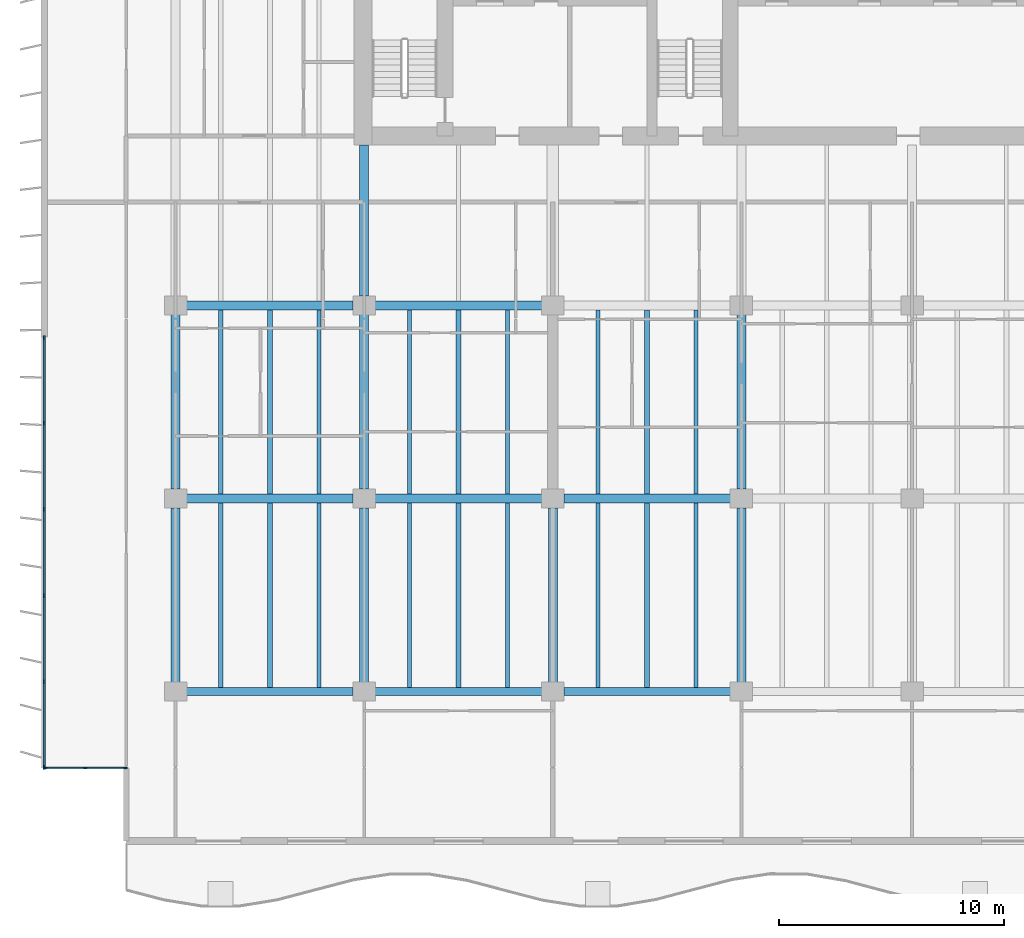
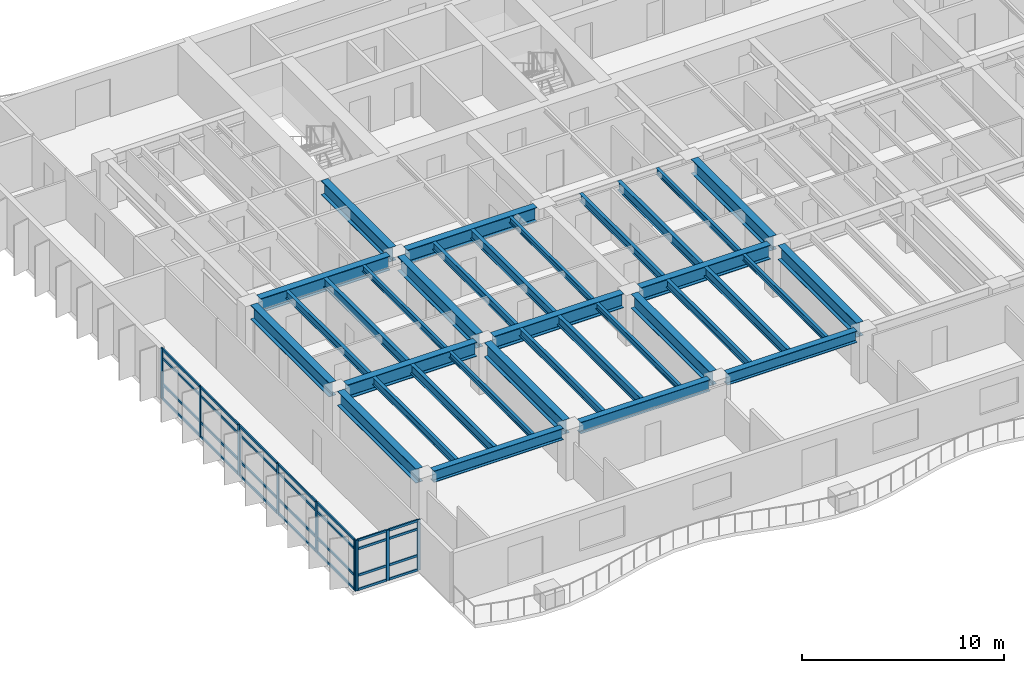
# One storey, part 2 of 15: 37 members, 34 beams, 2 elements without a shape of their own.
"""IFC4 building model written with IfcOpenShell, lengths in metres."""

from ifc_helpers import new_model, si_unit, direction, frame, origin, origin_2d, place, context, subcontext, project, spatial, rectangle, i_section, extrude, material, layer, layer_set, material_profile, profile_set, type_object, element, aggregate, save


model = new_model("IFC4")

# Units and contexts
model_context = context("Model", 3, precision=1e-05, world=origin(), true_north=direction((0.0, 1.0)))
body_context = subcontext(model_context, "Body", "Model", "MODEL_VIEW")
ifc_project = project(units=[si_unit("LENGTHUNIT", "METRE"), si_unit("AREAUNIT", "SQUARE_METRE"), si_unit("VOLUMEUNIT", "CUBIC_METRE"), si_unit("PLANEANGLEUNIT", "RADIAN"), si_unit("MASSUNIT", "GRAM", prefix="KILO")], contexts=[model_context])

# Site, building, storey
site_placement = place(None, origin())
site = spatial("IfcSite", under=ifc_project, at=site_placement, CompositionType="ELEMENT")
building_placement = place(site_placement, origin())
building = spatial("IfcBuilding", under=site, at=building_placement, Name="Caelmar Bay Residences", CompositionType="ELEMENT")
storey_placement = place(building_placement, frame((0.0, 0.0, 135.60009765625)))
storey = spatial("IfcBuildingStorey", under=building, at=storey_placement, Name="L37", CompositionType="ELEMENT", Elevation=135.60009765625)

# Beams
ifc_material_1 = material(Name="Steel ASTM A992 Grade 50", Category="steel")
ifc_material_profile_1 = material_profile(ifc_material_1, i_section(OverallWidth=0.40087890625, OverallDepth=0.861083984375, WebThickness=0.019775390625, FlangeThickness=0.032470703125, FilletRadius=0.017822265625, at=origin_2d()), Name="W33X221")
ifc_profile_set_1 = profile_set([ifc_material_profile_1], Name="Steel ASTM A992 Grade 50")
beam_type_1 = type_object("IfcBeamType", Name="BM-GRD-W33X221", PredefinedType="BEAM", material=ifc_profile_set_1)
beam_1_placement = place(storey_placement, frame((10.389892578125, 20.800048828125, 2.619384765625), z_axis=(1.0, 0.0, 0.0), x_axis=(0.0, 1.0, 0.0)))
element("IfcBeam", 1, at=beam_1_placement, inside=storey, type_object=beam_type_1, Name="L37 East-West Girder Y=20.80 (9.9-18.3)", PredefinedType="BEAM", context=body_context, shape_type="SweptSolid", body=[
    extrude(i_section(OverallWidth=0.40087890625, OverallDepth=0.861083984375, WebThickness=0.019775390625, FlangeThickness=0.032470703125, FilletRadius=0.017822265625, at=origin_2d()), origin(), (0.0, 0.0, 1.0), 7.420166015625),
])
beam_2_placement = place(storey_placement, frame((18.7900390625, 20.800048828125, 2.619384765625), z_axis=(1.0, 0.0, 0.0), x_axis=(0.0, 1.0, 0.0)))
element("IfcBeam", 2, at=beam_2_placement, inside=storey, type_object=beam_type_1, Name="L37 East-West Girder Y=20.80 (18.3-26.7)", PredefinedType="BEAM", context=body_context, shape_type="SweptSolid", body=[
    extrude(i_section(OverallWidth=0.40087890625, OverallDepth=0.861083984375, WebThickness=0.019775390625, FlangeThickness=0.032470703125, FilletRadius=0.017822265625, at=origin_2d()), origin(), (0.0, 0.0, 1.0), 7.419921875),
])
for number, where, z_axis, x_axis, name in (
    (3, (27.18994140625, 20.800048828125, 2.619384765625), (1.0, 0.0, 0.0), (0.0, 1.0, 0.0), "L37 East-West Girder Y=20.80 (26.7-35.1)"),
    (4, (10.389892578125, 29.39990234375, 2.619384765625), (1.0, 0.0, 0.0), (0.0, 1.0, 0.0), "L37 East-West Girder Y=29.40 (9.9-18.3)"),
):
    element("IfcBeam", number, at=place(storey_placement, frame(where, z_axis=z_axis, x_axis=x_axis)), inside=storey, type_object=beam_type_1, Name=name, PredefinedType="BEAM", context=body_context, shape_type="SweptSolid", body=[
        extrude(i_section(OverallWidth=0.40087890625, OverallDepth=0.861083984375, WebThickness=0.019775390625, FlangeThickness=0.032470703125, FilletRadius=0.017822265625, at=origin_2d()), origin(), (0.0, 0.0, 1.0), 7.420166015625),
    ])
beam_3_placement = place(storey_placement, frame((18.7900390625, 29.39990234375, 2.619384765625), z_axis=(1.0, 0.0, 0.0), x_axis=(0.0, 1.0, 0.0)))
element("IfcBeam", 5, at=beam_3_placement, inside=storey, type_object=beam_type_1, Name="L37 East-West Girder Y=29.40 (18.3-26.7)", PredefinedType="BEAM", context=body_context, shape_type="SweptSolid", body=[
    extrude(i_section(OverallWidth=0.40087890625, OverallDepth=0.861083984375, WebThickness=0.019775390625, FlangeThickness=0.032470703125, FilletRadius=0.017822265625, at=origin_2d()), origin(), (0.0, 0.0, 1.0), 7.419921875),
])
for number, where, z_axis, x_axis, name in (
    (6, (9.89990234375, 12.614990234375, 2.619384765625), (0.0, 1.0, 0.0), (-1.0, 0.0, 0.0), "L37 North-South Girder X=9.90 (12.2-20.8)"),
    (7, (9.89990234375, 21.215087890625, 2.619384765625), (0.0, 1.0, 0.0), (-1.0, 0.0, 0.0), "L37 North-South Girder X=9.90 (20.8-29.4)"),
):
    element("IfcBeam", number, at=place(storey_placement, frame(where, z_axis=z_axis, x_axis=x_axis)), inside=storey, type_object=beam_type_1, Name=name, PredefinedType="BEAM", context=body_context, shape_type="SweptSolid", body=[
        extrude(i_section(OverallWidth=0.40087890625, OverallDepth=0.861083984375, WebThickness=0.019775390625, FlangeThickness=0.032470703125, FilletRadius=0.017822265625, at=origin_2d()), origin(), (0.0, 0.0, 1.0), 7.77001953125),
    ])
beam_4_placement = place(storey_placement, frame((18.300048828125, 29.81494140625, 2.619384765625), z_axis=(0.0, 1.0, 0.0), x_axis=(-1.0, 0.0, 0.0)))
element("IfcBeam", 8, at=beam_4_placement, inside=storey, type_object=beam_type_1, Name="L37 Core Tie Girder X=18.30", PredefinedType="BEAM", context=body_context, shape_type="SweptSolid", body=[
    extrude(i_section(OverallWidth=0.40087890625, OverallDepth=0.861083984375, WebThickness=0.019775390625, FlangeThickness=0.032470703125, FilletRadius=0.017822265625, at=origin_2d()), origin(), (0.0, 0.0, 1.0), 6.735107421875),
])
for number, where, z_axis, x_axis, name in (
    (9, (18.300048828125, 12.614990234375, 2.619384765625), (0.0, 1.0, 0.0), (-1.0, 0.0, 0.0), "L37 North-South Girder X=18.30 (12.2-20.8)"),
    (10, (18.300048828125, 21.215087890625, 2.619384765625), (0.0, 1.0, 0.0), (-1.0, 0.0, 0.0), "L37 North-South Girder X=18.30 (20.8-29.4)"),
    (11, (26.699951171875, 12.614990234375, 2.619384765625), (0.0, 1.0, 0.0), (-1.0, 0.0, 0.0), "L37 North-South Girder X=26.70 (12.2-20.8)"),
    (12, (35.10009765625, 12.614990234375, 2.619384765625), (0.0, 1.0, 0.0), (-1.0, 0.0, 0.0), "L37 North-South Girder X=35.10 (12.2-20.8)"),
    (13, (35.10009765625, 21.215087890625, 2.619384765625), (0.0, 1.0, 0.0), (-1.0, 0.0, 0.0), "L37 North-South Girder X=35.10 (20.8-29.4)"),
):
    element("IfcBeam", number, at=place(storey_placement, frame(where, z_axis=z_axis, x_axis=x_axis)), inside=storey, type_object=beam_type_1, Name=name, PredefinedType="BEAM", context=body_context, shape_type="SweptSolid", body=[
        extrude(i_section(OverallWidth=0.40087890625, OverallDepth=0.861083984375, WebThickness=0.019775390625, FlangeThickness=0.032470703125, FilletRadius=0.017822265625, at=origin_2d()), origin(), (0.0, 0.0, 1.0), 7.77001953125),
    ])
ifc_material_profile_2 = material_profile(ifc_material_1, i_section(OverallWidth=0.1708984375, OverallDepth=0.35595703125, WebThickness=0.007080078125, FlangeThickness=0.01171875, FilletRadius=0.007568359375, at=origin_2d()), Name="W14X34")
ifc_profile_set_2 = profile_set([ifc_material_profile_2], Name="Steel ASTM A992 Grade 50")
beam_type_2 = type_object("IfcBeamType", Name="BM-JST-W14X34", PredefinedType="JOIST", material=ifc_profile_set_2)
for number, where, z_axis, x_axis, name in (
    (14, (16.283935546875, 12.3779296875, 2.871826171875), (0.0, 1.0, 0.0), (-1.0, 0.0, 0.0), "L37 Composite Floor Joist 3"),
    (15, (24.68408203125, 12.3779296875, 2.871826171875), (0.0, 1.0, 0.0), (-1.0, 0.0, 0.0), "L37 Composite Floor Joist 6"),
    (16, (33.083984375, 12.3779296875, 2.871826171875), (0.0, 1.0, 0.0), (-1.0, 0.0, 0.0), "L37 Composite Floor Joist 9"),
):
    element("IfcBeam", number, at=place(storey_placement, frame(where, z_axis=z_axis, x_axis=x_axis)), inside=storey, type_object=beam_type_2, Name=name, PredefinedType="JOIST", context=body_context, shape_type="SweptSolid", body=[
        extrude(i_section(OverallWidth=0.1708984375, OverallDepth=0.35595703125, WebThickness=0.007080078125, FlangeThickness=0.01171875, FilletRadius=0.007568359375, at=origin_2d()), origin(), (0.0, 0.0, 1.0), 8.2216796875),
    ])
for number, where, z_axis, x_axis, name in (
    (17, (16.283935546875, 21.00048828125, 2.871826171875), (0.0, 1.0, 0.0), (-1.0, 0.0, 0.0), "L37 Composite Floor Joist 24"),
    (18, (24.68408203125, 21.00048828125, 2.871826171875), (0.0, 1.0, 0.0), (-1.0, 0.0, 0.0), "L37 Composite Floor Joist 27"),
    (19, (33.083984375, 21.00048828125, 2.871826171875), (0.0, 1.0, 0.0), (-1.0, 0.0, 0.0), "L37 Composite Floor Joist 30"),
):
    element("IfcBeam", number, at=place(storey_placement, frame(where, z_axis=z_axis, x_axis=x_axis)), inside=storey, type_object=beam_type_2, Name=name, PredefinedType="JOIST", context=body_context, shape_type="SweptSolid", body=[
        extrude(i_section(OverallWidth=0.1708984375, OverallDepth=0.35595703125, WebThickness=0.007080078125, FlangeThickness=0.01171875, FilletRadius=0.007568359375, at=origin_2d()), origin(), (0.0, 0.0, 1.0), 8.198974609375),
    ])
ifc_material_profile_3 = material_profile(ifc_material_1, i_section(OverallWidth=0.19091796875, OverallDepth=0.45703125, WebThickness=0.009033203125, FlangeThickness=0.014404296875, FilletRadius=0.01025390625, at=origin_2d()), Name="W18X50")
ifc_profile_set_3 = profile_set([ifc_material_profile_3], Name="Steel ASTM A992 Grade 50")
beam_type_3 = type_object("IfcBeamType", Name="BM-JST-W18X50", PredefinedType="JOIST", material=ifc_profile_set_3)
for number, where, z_axis, x_axis, name in (
    (20, (11.916015625, 12.3779296875, 2.8212890625), (0.0, 1.0, 0.0), (-1.0, 0.0, 0.0), "L37 Composite Floor Joist 1"),
    (21, (20.31591796875, 12.3779296875, 2.8212890625), (0.0, 1.0, 0.0), (-1.0, 0.0, 0.0), "L37 Composite Floor Joist 4"),
    (22, (28.716064453125, 12.3779296875, 2.8212890625), (0.0, 1.0, 0.0), (-1.0, 0.0, 0.0), "L37 Composite Floor Joist 7"),
):
    element("IfcBeam", number, at=place(storey_placement, frame(where, z_axis=z_axis, x_axis=x_axis)), inside=storey, type_object=beam_type_3, Name=name, PredefinedType="JOIST", context=body_context, shape_type="SweptSolid", body=[
        extrude(i_section(OverallWidth=0.19091796875, OverallDepth=0.45703125, WebThickness=0.009033203125, FlangeThickness=0.014404296875, FilletRadius=0.01025390625, at=origin_2d()), origin(), (0.0, 0.0, 1.0), 8.2216796875),
    ])
for number, where, z_axis, x_axis, name in (
    (23, (11.916015625, 21.00048828125, 2.8212890625), (0.0, 1.0, 0.0), (-1.0, 0.0, 0.0), "L37 Composite Floor Joist 22"),
    (24, (20.31591796875, 21.00048828125, 2.8212890625), (0.0, 1.0, 0.0), (-1.0, 0.0, 0.0), "L37 Composite Floor Joist 25"),
    (25, (28.716064453125, 21.00048828125, 2.8212890625), (0.0, 1.0, 0.0), (-1.0, 0.0, 0.0), "L37 Composite Floor Joist 28"),
):
    element("IfcBeam", number, at=place(storey_placement, frame(where, z_axis=z_axis, x_axis=x_axis)), inside=storey, type_object=beam_type_3, Name=name, PredefinedType="JOIST", context=body_context, shape_type="SweptSolid", body=[
        extrude(i_section(OverallWidth=0.19091796875, OverallDepth=0.45703125, WebThickness=0.009033203125, FlangeThickness=0.014404296875, FilletRadius=0.01025390625, at=origin_2d()), origin(), (0.0, 0.0, 1.0), 8.198974609375),
    ])
ifc_material_profile_4 = material_profile(ifc_material_1, i_section(OverallWidth=0.214111328125, OverallDepth=0.549072265625, WebThickness=0.0146484375, FlangeThickness=0.023681640625, FilletRadius=0.0126953125, at=origin_2d()), Name="W21X93")
ifc_profile_set_4 = profile_set([ifc_material_profile_4], Name="Steel ASTM A992 Grade 50")
beam_type_4 = type_object("IfcBeamType", Name="BM-JST-W21X93", PredefinedType="JOIST", material=ifc_profile_set_4)
for number, where, z_axis, x_axis, name in (
    (26, (14.10009765625, 12.3779296875, 2.775390625), (0.0, 1.0, 0.0), (-1.0, 0.0, 0.0), "L37 Composite Floor Joist 2"),
    (27, (22.5, 12.3779296875, 2.775390625), (0.0, 1.0, 0.0), (-1.0, 0.0, 0.0), "L37 Composite Floor Joist 5"),
    (28, (30.89990234375, 12.3779296875, 2.775390625), (0.0, 1.0, 0.0), (-1.0, 0.0, 0.0), "L37 Composite Floor Joist 8"),
):
    element("IfcBeam", number, at=place(storey_placement, frame(where, z_axis=z_axis, x_axis=x_axis)), inside=storey, type_object=beam_type_4, Name=name, PredefinedType="JOIST", context=body_context, shape_type="SweptSolid", body=[
        extrude(i_section(OverallWidth=0.214111328125, OverallDepth=0.549072265625, WebThickness=0.0146484375, FlangeThickness=0.023681640625, FilletRadius=0.0126953125, at=origin_2d()), origin(), (0.0, 0.0, 1.0), 8.2216796875),
    ])
for number, where, z_axis, x_axis, name in (
    (29, (14.10009765625, 21.00048828125, 2.775390625), (0.0, 1.0, 0.0), (-1.0, 0.0, 0.0), "L37 Composite Floor Joist 23"),
    (30, (22.5, 21.00048828125, 2.775390625), (0.0, 1.0, 0.0), (-1.0, 0.0, 0.0), "L37 Composite Floor Joist 26"),
    (31, (30.89990234375, 21.00048828125, 2.775390625), (0.0, 1.0, 0.0), (-1.0, 0.0, 0.0), "L37 Composite Floor Joist 29"),
):
    element("IfcBeam", number, at=place(storey_placement, frame(where, z_axis=z_axis, x_axis=x_axis)), inside=storey, type_object=beam_type_4, Name=name, PredefinedType="JOIST", context=body_context, shape_type="SweptSolid", body=[
        extrude(i_section(OverallWidth=0.214111328125, OverallDepth=0.549072265625, WebThickness=0.0146484375, FlangeThickness=0.023681640625, FilletRadius=0.0126953125, at=origin_2d()), origin(), (0.0, 0.0, 1.0), 8.198974609375),
    ])
ifc_material_profile_5 = material_profile(ifc_material_1, i_section(OverallWidth=0.35595703125, OverallDepth=0.696044921875, WebThickness=0.015380859375, FlangeThickness=0.02490234375, FilletRadius=0.01513671875, at=origin_2d()), Name="W27X146")
ifc_profile_set_5 = profile_set([ifc_material_profile_5], Name="Steel ASTM A992 Grade 50")
beam_type_5 = type_object("IfcBeamType", Name="BM-SPN-W27X146", PredefinedType="SPANDREL", material=ifc_profile_set_5)
beam_5_placement = place(storey_placement, frame((10.389892578125, 12.199951171875, 2.701904296875), z_axis=(1.0, 0.0, 0.0), x_axis=(0.0, 1.0, 0.0)))
element("IfcBeam", 32, at=beam_5_placement, inside=storey, type_object=beam_type_5, Name="L37 East-West Girder Y=12.20 (9.9-18.3)", PredefinedType="SPANDREL", context=body_context, shape_type="SweptSolid", body=[
    extrude(i_section(OverallWidth=0.35595703125, OverallDepth=0.696044921875, WebThickness=0.015380859375, FlangeThickness=0.02490234375, FilletRadius=0.01513671875, at=origin_2d()), origin(), (0.0, 0.0, 1.0), 7.420166015625),
])
beam_6_placement = place(storey_placement, frame((18.7900390625, 12.199951171875, 2.701904296875), z_axis=(1.0, 0.0, 0.0), x_axis=(0.0, 1.0, 0.0)))
element("IfcBeam", 33, at=beam_6_placement, inside=storey, type_object=beam_type_5, Name="L37 East-West Girder Y=12.20 (18.3-26.7)", PredefinedType="SPANDREL", context=body_context, shape_type="SweptSolid", body=[
    extrude(i_section(OverallWidth=0.35595703125, OverallDepth=0.696044921875, WebThickness=0.015380859375, FlangeThickness=0.02490234375, FilletRadius=0.01513671875, at=origin_2d()), origin(), (0.0, 0.0, 1.0), 7.419921875),
])
beam_7_placement = place(storey_placement, frame((27.18994140625, 12.199951171875, 2.701904296875), z_axis=(1.0, 0.0, 0.0), x_axis=(0.0, 1.0, 0.0)))
element("IfcBeam", 34, at=beam_7_placement, inside=storey, type_object=beam_type_5, Name="L37 East-West Girder Y=12.20 (26.7-35.1)", PredefinedType="SPANDREL", context=body_context, shape_type="SweptSolid", body=[
    extrude(i_section(OverallWidth=0.35595703125, OverallDepth=0.696044921875, WebThickness=0.015380859375, FlangeThickness=0.02490234375, FilletRadius=0.01513671875, at=origin_2d()), origin(), (0.0, 0.0, 1.0), 7.420166015625),
])

# Curtain wall, members
ifc_material_2 = material(Name="Anodised bronze aluminium 6063-T6 and laminated glass", Category="aluminium")
ifc_layer_1 = layer(ifc_material_2, 0.179931640625)
ifc_layer_set_1 = layer_set([ifc_layer_1], Name="Anodised bronze aluminium 6063-T6 and laminated glass")
curtain_wall_type_1 = type_object("IfcCurtainWallType", Name="CW6-NTC", PredefinedType="NOTDEFINED", material=ifc_layer_set_1)
curtain_wall_1_placement = place(storey_placement, origin())
curtain_wall_1 = element("IfcCurtainWall", 35, at=curtain_wall_1_placement, inside=storey, type_object=curtain_wall_type_1, Name="CW6 curtain wall L37", PredefinedType="NOTDEFINED")
ifc_material_3 = material(Name="Anodised bronze aluminium 6063-T6", Category="aluminium")
ifc_material_profile_6 = material_profile(ifc_material_3, rectangle(XDim=0.080078125, YDim=0.179931640625, at=origin_2d()), Name="CWM-80X180")
ifc_profile_set_6 = profile_set([ifc_material_profile_6], Name="Anodised bronze aluminium 6063-T6")
member_type_1 = type_object("IfcMemberType", Name="CWM-180", PredefinedType="MULLION", material=ifc_profile_set_6)
member_1_placement = place(storey_placement, frame((4.090087890625, 8.800048828125, 0.0), z_axis=(0.0, 0.0, 1.0), x_axis=(0.0, 1.0, 0.0)))
member_1 = element("IfcMember", 36, at=member_1_placement, type_object=member_type_1, Name="CW6 mullion 1", PredefinedType="MULLION", context=body_context, shape_type="SweptSolid", body=[
    extrude(rectangle(XDim=0.080078125, YDim=0.179931640625, at=origin_2d()), origin(), (0.0, 0.0, 1.0), 3.0498046875),
])
member_2_placement = place(storey_placement, frame((5.875, 8.800048828125, 0.0), z_axis=(0.0, 0.0, 1.0), x_axis=(0.0, 1.0, 0.0)))
member_2 = element("IfcMember", 37, at=member_2_placement, type_object=member_type_1, Name="CW6 mullion 2", PredefinedType="MULLION", context=body_context, shape_type="SweptSolid", body=[
    extrude(rectangle(XDim=0.080078125, YDim=0.179931640625, at=origin_2d()), origin(), (0.0, 0.0, 1.0), 3.0498046875),
])
member_3_placement = place(storey_placement, frame((7.659912109375, 8.800048828125, 0.0), z_axis=(0.0, 0.0, 1.0), x_axis=(0.0, 1.0, 0.0)))
member_3 = element("IfcMember", 38, at=member_3_placement, type_object=member_type_1, Name="CW6 mullion 3", PredefinedType="MULLION", context=body_context, shape_type="SweptSolid", body=[
    extrude(rectangle(XDim=0.080078125, YDim=0.179931640625, at=origin_2d()), origin(), (0.0, 0.0, 1.0), 3.0498046875),
])

ifc_layer_2 = layer(ifc_material_2, 0.179931640625)
ifc_layer_set_2 = layer_set([ifc_layer_2], Name="Anodised bronze aluminium 6063-T6 and laminated glass")
curtain_wall_type_2 = type_object("IfcCurtainWallType", Name="CW3-Z2", PredefinedType="NOTDEFINED", material=ifc_layer_set_2)
curtain_wall_2_placement = place(storey_placement, origin())
curtain_wall_2 = element("IfcCurtainWall", 39, at=curtain_wall_2_placement, inside=storey, type_object=curtain_wall_type_2, Name="CW3 curtain wall L37", PredefinedType="NOTDEFINED")
member_4_placement = place(storey_placement, frame((4.050048828125, 8.840087890625, 0.0), z_axis=(0.0, 0.0, 1.0), x_axis=(-1.0, 0.0, 0.0)))
member_4 = element("IfcMember", 40, at=member_4_placement, type_object=member_type_1, Name="CW3 mullion 1", PredefinedType="MULLION", context=body_context, shape_type="SweptSolid", body=[
    extrude(rectangle(XDim=0.080078125, YDim=0.179931640625, at=origin_2d()), origin(), (0.0, 0.0, 1.0), 3.0498046875),
])
member_5_placement = place(storey_placement, frame((4.050048828125, 12.639892578125, 0.0), z_axis=(0.0, 0.0, 1.0), x_axis=(-1.0, 0.0, 0.0)))
member_5 = element("IfcMember", 41, at=member_5_placement, type_object=member_type_1, Name="CW3 mullion 2", PredefinedType="MULLION", context=body_context, shape_type="SweptSolid", body=[
    extrude(rectangle(XDim=0.080078125, YDim=0.179931640625, at=origin_2d()), origin(), (0.0, 0.0, 1.0), 3.0498046875),
])
member_6_placement = place(storey_placement, frame((4.050048828125, 16.47998046875, 0.0), z_axis=(0.0, 0.0, 1.0), x_axis=(-1.0, 0.0, 0.0)))
member_6 = element("IfcMember", 42, at=member_6_placement, type_object=member_type_1, Name="CW3 mullion 3", PredefinedType="MULLION", context=body_context, shape_type="SweptSolid", body=[
    extrude(rectangle(XDim=0.080078125, YDim=0.179931640625, at=origin_2d()), origin(), (0.0, 0.0, 1.0), 3.0498046875),
])
member_7_placement = place(storey_placement, frame((4.050048828125, 20.320068359375, 0.0), z_axis=(0.0, 0.0, 1.0), x_axis=(-1.0, 0.0, 0.0)))
member_7 = element("IfcMember", 43, at=member_7_placement, type_object=member_type_1, Name="CW3 mullion 4", PredefinedType="MULLION", context=body_context, shape_type="SweptSolid", body=[
    extrude(rectangle(XDim=0.080078125, YDim=0.179931640625, at=origin_2d()), origin(), (0.0, 0.0, 1.0), 3.0498046875),
])
member_8_placement = place(storey_placement, frame((4.050048828125, 24.159912109375, 0.0), z_axis=(0.0, 0.0, 1.0), x_axis=(-1.0, 0.0, 0.0)))
member_8 = element("IfcMember", 44, at=member_8_placement, type_object=member_type_1, Name="CW3 mullion 5", PredefinedType="MULLION", context=body_context, shape_type="SweptSolid", body=[
    extrude(rectangle(XDim=0.080078125, YDim=0.179931640625, at=origin_2d()), origin(), (0.0, 0.0, 1.0), 3.0498046875),
])
member_9_placement = place(storey_placement, frame((4.050048828125, 27.9599609375, 0.0), z_axis=(0.0, 0.0, 1.0), x_axis=(-1.0, 0.0, 0.0)))
member_9 = element("IfcMember", 45, at=member_9_placement, type_object=member_type_1, Name="CW3 mullion 6", PredefinedType="MULLION", context=body_context, shape_type="SweptSolid", body=[
    extrude(rectangle(XDim=0.080078125, YDim=0.179931640625, at=origin_2d()), origin(), (0.0, 0.0, 1.0), 3.0498046875),
])

# Member
ifc_material_profile_7 = material_profile(ifc_material_3, rectangle(XDim=0.080078125, YDim=0.139892578125, at=origin_2d()), Name="CWT-80X140")
ifc_profile_set_7 = profile_set([ifc_material_profile_7], Name="Anodised bronze aluminium 6063-T6")
member_type_2 = type_object("IfcMemberType", Name="CWT-140", PredefinedType="NOTDEFINED", material=ifc_profile_set_7)
member_10_placement = place(storey_placement, frame((4.1298828125, 8.800048828125, 0.039794921875), z_axis=(1.0, 0.0, 0.0), x_axis=(0.0, 1.0, 0.0)))
member_10 = element("IfcMember", 46, at=member_10_placement, type_object=member_type_2, Name="CW6 transom 1.1", ObjectType="TRANSOM", PredefinedType="USERDEFINED", context=body_context, shape_type="SweptSolid", body=[
    extrude(rectangle(XDim=0.080078125, YDim=0.139892578125, at=origin_2d()), origin(), (0.0, 0.0, 1.0), 1.705078125),
])

member_11_placement = place(storey_placement, frame((4.1298828125, 8.800048828125, 0.89990234375), z_axis=(1.0, 0.0, 0.0), x_axis=(0.0, 1.0, 0.0)))
member_11 = element("IfcMember", 47, at=member_11_placement, type_object=member_type_2, Name="CW6 transom 1.2", ObjectType="TRANSOM", PredefinedType="USERDEFINED", context=body_context, shape_type="SweptSolid", body=[
    extrude(rectangle(XDim=0.080078125, YDim=0.139892578125, at=origin_2d()), origin(), (0.0, 0.0, 1.0), 1.705078125),
])

member_12_placement = place(storey_placement, frame((4.1298828125, 8.800048828125, 2.5), z_axis=(1.0, 0.0, 0.0), x_axis=(0.0, 1.0, 0.0)))
member_12 = element("IfcMember", 48, at=member_12_placement, type_object=member_type_2, Name="CW6 transom 1.3", ObjectType="TRANSOM", PredefinedType="USERDEFINED", context=body_context, shape_type="SweptSolid", body=[
    extrude(rectangle(XDim=0.080078125, YDim=0.139892578125, at=origin_2d()), origin(), (0.0, 0.0, 1.0), 1.705078125),
])

member_13_placement = place(storey_placement, frame((4.1298828125, 8.800048828125, 3.010009765625), z_axis=(1.0, 0.0, 0.0), x_axis=(0.0, 1.0, 0.0)))
member_13 = element("IfcMember", 49, at=member_13_placement, type_object=member_type_2, Name="CW6 transom 1.4", ObjectType="TRANSOM", PredefinedType="USERDEFINED", context=body_context, shape_type="SweptSolid", body=[
    extrude(rectangle(XDim=0.080078125, YDim=0.139892578125, at=origin_2d()), origin(), (0.0, 0.0, 1.0), 1.705078125),
])

member_14_placement = place(storey_placement, frame((5.9150390625, 8.800048828125, 0.039794921875), z_axis=(1.0, 0.0, 0.0), x_axis=(0.0, 1.0, 0.0)))
member_14 = element("IfcMember", 50, at=member_14_placement, type_object=member_type_2, Name="CW6 transom 2.1", ObjectType="TRANSOM", PredefinedType="USERDEFINED", context=body_context, shape_type="SweptSolid", body=[
    extrude(rectangle(XDim=0.080078125, YDim=0.139892578125, at=origin_2d()), origin(), (0.0, 0.0, 1.0), 1.705078125),
])

member_15_placement = place(storey_placement, frame((5.9150390625, 8.800048828125, 0.89990234375), z_axis=(1.0, 0.0, 0.0), x_axis=(0.0, 1.0, 0.0)))
member_15 = element("IfcMember", 51, at=member_15_placement, type_object=member_type_2, Name="CW6 transom 2.2", ObjectType="TRANSOM", PredefinedType="USERDEFINED", context=body_context, shape_type="SweptSolid", body=[
    extrude(rectangle(XDim=0.080078125, YDim=0.139892578125, at=origin_2d()), origin(), (0.0, 0.0, 1.0), 1.705078125),
])

member_16_placement = place(storey_placement, frame((5.9150390625, 8.800048828125, 2.5), z_axis=(1.0, 0.0, 0.0), x_axis=(0.0, 1.0, 0.0)))
member_16 = element("IfcMember", 52, at=member_16_placement, type_object=member_type_2, Name="CW6 transom 2.3", ObjectType="TRANSOM", PredefinedType="USERDEFINED", context=body_context, shape_type="SweptSolid", body=[
    extrude(rectangle(XDim=0.080078125, YDim=0.139892578125, at=origin_2d()), origin(), (0.0, 0.0, 1.0), 1.705078125),
])

member_17_placement = place(storey_placement, frame((5.9150390625, 8.800048828125, 3.010009765625), z_axis=(1.0, 0.0, 0.0), x_axis=(0.0, 1.0, 0.0)))
member_17 = element("IfcMember", 53, at=member_17_placement, type_object=member_type_2, Name="CW6 transom 2.4", ObjectType="TRANSOM", PredefinedType="USERDEFINED", context=body_context, shape_type="SweptSolid", body=[
    extrude(rectangle(XDim=0.080078125, YDim=0.139892578125, at=origin_2d()), origin(), (0.0, 0.0, 1.0), 1.705078125),
])

aggregate(curtain_wall_1, [member_1, member_2, member_3, member_10, member_11, member_12, member_13, member_14, member_15, member_16, member_17])

member_18_placement = place(storey_placement, frame((4.050048828125, 8.8798828125, 0.039794921875), z_axis=(0.0, 1.0, 0.0), x_axis=(-1.0, 0.0, 0.0)))
member_18 = element("IfcMember", 54, at=member_18_placement, type_object=member_type_2, Name="CW3 transom 1.1", ObjectType="TRANSOM", PredefinedType="USERDEFINED", context=body_context, shape_type="SweptSolid", body=[
    extrude(rectangle(XDim=0.080078125, YDim=0.139892578125, at=origin_2d()), origin(), (0.0, 0.0, 1.0), 3.72021484375),
])

member_19_placement = place(storey_placement, frame((4.050048828125, 8.8798828125, 0.89990234375), z_axis=(0.0, 1.0, 0.0), x_axis=(-1.0, 0.0, 0.0)))
member_19 = element("IfcMember", 55, at=member_19_placement, type_object=member_type_2, Name="CW3 transom 1.2", ObjectType="TRANSOM", PredefinedType="USERDEFINED", context=body_context, shape_type="SweptSolid", body=[
    extrude(rectangle(XDim=0.080078125, YDim=0.139892578125, at=origin_2d()), origin(), (0.0, 0.0, 1.0), 3.72021484375),
])

member_20_placement = place(storey_placement, frame((4.050048828125, 8.8798828125, 2.5), z_axis=(0.0, 1.0, 0.0), x_axis=(-1.0, 0.0, 0.0)))
member_20 = element("IfcMember", 56, at=member_20_placement, type_object=member_type_2, Name="CW3 transom 1.3", ObjectType="TRANSOM", PredefinedType="USERDEFINED", context=body_context, shape_type="SweptSolid", body=[
    extrude(rectangle(XDim=0.080078125, YDim=0.139892578125, at=origin_2d()), origin(), (0.0, 0.0, 1.0), 3.72021484375),
])

member_21_placement = place(storey_placement, frame((4.050048828125, 8.8798828125, 3.010009765625), z_axis=(0.0, 1.0, 0.0), x_axis=(-1.0, 0.0, 0.0)))
member_21 = element("IfcMember", 57, at=member_21_placement, type_object=member_type_2, Name="CW3 transom 1.4", ObjectType="TRANSOM", PredefinedType="USERDEFINED", context=body_context, shape_type="SweptSolid", body=[
    extrude(rectangle(XDim=0.080078125, YDim=0.139892578125, at=origin_2d()), origin(), (0.0, 0.0, 1.0), 3.72021484375),
])

member_22_placement = place(storey_placement, frame((4.050048828125, 12.679931640625, 0.039794921875), z_axis=(0.0, 1.0, 0.0), x_axis=(-1.0, 0.0, 0.0)))
member_22 = element("IfcMember", 58, at=member_22_placement, type_object=member_type_2, Name="CW3 transom 2.1", ObjectType="TRANSOM", PredefinedType="USERDEFINED", context=body_context, shape_type="SweptSolid", body=[
    extrude(rectangle(XDim=0.080078125, YDim=0.139892578125, at=origin_2d()), origin(), (0.0, 0.0, 1.0), 3.760009765625),
])

member_23_placement = place(storey_placement, frame((4.050048828125, 12.679931640625, 0.89990234375), z_axis=(0.0, 1.0, 0.0), x_axis=(-1.0, 0.0, 0.0)))
member_23 = element("IfcMember", 59, at=member_23_placement, type_object=member_type_2, Name="CW3 transom 2.2", ObjectType="TRANSOM", PredefinedType="USERDEFINED", context=body_context, shape_type="SweptSolid", body=[
    extrude(rectangle(XDim=0.080078125, YDim=0.139892578125, at=origin_2d()), origin(), (0.0, 0.0, 1.0), 3.760009765625),
])

member_24_placement = place(storey_placement, frame((4.050048828125, 12.679931640625, 2.5), z_axis=(0.0, 1.0, 0.0), x_axis=(-1.0, 0.0, 0.0)))
member_24 = element("IfcMember", 60, at=member_24_placement, type_object=member_type_2, Name="CW3 transom 2.3", ObjectType="TRANSOM", PredefinedType="USERDEFINED", context=body_context, shape_type="SweptSolid", body=[
    extrude(rectangle(XDim=0.080078125, YDim=0.139892578125, at=origin_2d()), origin(), (0.0, 0.0, 1.0), 3.760009765625),
])

member_25_placement = place(storey_placement, frame((4.050048828125, 12.679931640625, 3.010009765625), z_axis=(0.0, 1.0, 0.0), x_axis=(-1.0, 0.0, 0.0)))
member_25 = element("IfcMember", 61, at=member_25_placement, type_object=member_type_2, Name="CW3 transom 2.4", ObjectType="TRANSOM", PredefinedType="USERDEFINED", context=body_context, shape_type="SweptSolid", body=[
    extrude(rectangle(XDim=0.080078125, YDim=0.139892578125, at=origin_2d()), origin(), (0.0, 0.0, 1.0), 3.760009765625),
])

member_26_placement = place(storey_placement, frame((4.050048828125, 16.52001953125, 0.039794921875), z_axis=(0.0, 1.0, 0.0), x_axis=(-1.0, 0.0, 0.0)))
member_26 = element("IfcMember", 62, at=member_26_placement, type_object=member_type_2, Name="CW3 transom 3.1", ObjectType="TRANSOM", PredefinedType="USERDEFINED", context=body_context, shape_type="SweptSolid", body=[
    extrude(rectangle(XDim=0.080078125, YDim=0.139892578125, at=origin_2d()), origin(), (0.0, 0.0, 1.0), 3.760009765625),
])

member_27_placement = place(storey_placement, frame((4.050048828125, 16.52001953125, 0.89990234375), z_axis=(0.0, 1.0, 0.0), x_axis=(-1.0, 0.0, 0.0)))
member_27 = element("IfcMember", 63, at=member_27_placement, type_object=member_type_2, Name="CW3 transom 3.2", ObjectType="TRANSOM", PredefinedType="USERDEFINED", context=body_context, shape_type="SweptSolid", body=[
    extrude(rectangle(XDim=0.080078125, YDim=0.139892578125, at=origin_2d()), origin(), (0.0, 0.0, 1.0), 3.760009765625),
])

member_28_placement = place(storey_placement, frame((4.050048828125, 16.52001953125, 2.5), z_axis=(0.0, 1.0, 0.0), x_axis=(-1.0, 0.0, 0.0)))
member_28 = element("IfcMember", 64, at=member_28_placement, type_object=member_type_2, Name="CW3 transom 3.3", ObjectType="TRANSOM", PredefinedType="USERDEFINED", context=body_context, shape_type="SweptSolid", body=[
    extrude(rectangle(XDim=0.080078125, YDim=0.139892578125, at=origin_2d()), origin(), (0.0, 0.0, 1.0), 3.760009765625),
])

member_29_placement = place(storey_placement, frame((4.050048828125, 16.52001953125, 3.010009765625), z_axis=(0.0, 1.0, 0.0), x_axis=(-1.0, 0.0, 0.0)))
member_29 = element("IfcMember", 65, at=member_29_placement, type_object=member_type_2, Name="CW3 transom 3.4", ObjectType="TRANSOM", PredefinedType="USERDEFINED", context=body_context, shape_type="SweptSolid", body=[
    extrude(rectangle(XDim=0.080078125, YDim=0.139892578125, at=origin_2d()), origin(), (0.0, 0.0, 1.0), 3.760009765625),
])

member_30_placement = place(storey_placement, frame((4.050048828125, 20.360107421875, 0.039794921875), z_axis=(0.0, 1.0, 0.0), x_axis=(-1.0, 0.0, 0.0)))
member_30 = element("IfcMember", 66, at=member_30_placement, type_object=member_type_2, Name="CW3 transom 4.1", ObjectType="TRANSOM", PredefinedType="USERDEFINED", context=body_context, shape_type="SweptSolid", body=[
    extrude(rectangle(XDim=0.080078125, YDim=0.139892578125, at=origin_2d()), origin(), (0.0, 0.0, 1.0), 3.760009765625),
])

member_31_placement = place(storey_placement, frame((4.050048828125, 20.360107421875, 0.89990234375), z_axis=(0.0, 1.0, 0.0), x_axis=(-1.0, 0.0, 0.0)))
member_31 = element("IfcMember", 67, at=member_31_placement, type_object=member_type_2, Name="CW3 transom 4.2", ObjectType="TRANSOM", PredefinedType="USERDEFINED", context=body_context, shape_type="SweptSolid", body=[
    extrude(rectangle(XDim=0.080078125, YDim=0.139892578125, at=origin_2d()), origin(), (0.0, 0.0, 1.0), 3.760009765625),
])

member_32_placement = place(storey_placement, frame((4.050048828125, 20.360107421875, 2.5), z_axis=(0.0, 1.0, 0.0), x_axis=(-1.0, 0.0, 0.0)))
member_32 = element("IfcMember", 68, at=member_32_placement, type_object=member_type_2, Name="CW3 transom 4.3", ObjectType="TRANSOM", PredefinedType="USERDEFINED", context=body_context, shape_type="SweptSolid", body=[
    extrude(rectangle(XDim=0.080078125, YDim=0.139892578125, at=origin_2d()), origin(), (0.0, 0.0, 1.0), 3.760009765625),
])

member_33_placement = place(storey_placement, frame((4.050048828125, 20.360107421875, 3.010009765625), z_axis=(0.0, 1.0, 0.0), x_axis=(-1.0, 0.0, 0.0)))
member_33 = element("IfcMember", 69, at=member_33_placement, type_object=member_type_2, Name="CW3 transom 4.4", ObjectType="TRANSOM", PredefinedType="USERDEFINED", context=body_context, shape_type="SweptSolid", body=[
    extrude(rectangle(XDim=0.080078125, YDim=0.139892578125, at=origin_2d()), origin(), (0.0, 0.0, 1.0), 3.760009765625),
])

member_34_placement = place(storey_placement, frame((4.050048828125, 24.199951171875, 0.039794921875), z_axis=(0.0, 1.0, 0.0), x_axis=(-1.0, 0.0, 0.0)))
member_34 = element("IfcMember", 70, at=member_34_placement, type_object=member_type_2, Name="CW3 transom 5.1", ObjectType="TRANSOM", PredefinedType="USERDEFINED", context=body_context, shape_type="SweptSolid", body=[
    extrude(rectangle(XDim=0.080078125, YDim=0.139892578125, at=origin_2d()), origin(), (0.0, 0.0, 1.0), 3.719970703125),
])

member_35_placement = place(storey_placement, frame((4.050048828125, 24.199951171875, 0.89990234375), z_axis=(0.0, 1.0, 0.0), x_axis=(-1.0, 0.0, 0.0)))
member_35 = element("IfcMember", 71, at=member_35_placement, type_object=member_type_2, Name="CW3 transom 5.2", ObjectType="TRANSOM", PredefinedType="USERDEFINED", context=body_context, shape_type="SweptSolid", body=[
    extrude(rectangle(XDim=0.080078125, YDim=0.139892578125, at=origin_2d()), origin(), (0.0, 0.0, 1.0), 3.719970703125),
])

member_36_placement = place(storey_placement, frame((4.050048828125, 24.199951171875, 2.5), z_axis=(0.0, 1.0, 0.0), x_axis=(-1.0, 0.0, 0.0)))
member_36 = element("IfcMember", 72, at=member_36_placement, type_object=member_type_2, Name="CW3 transom 5.3", ObjectType="TRANSOM", PredefinedType="USERDEFINED", context=body_context, shape_type="SweptSolid", body=[
    extrude(rectangle(XDim=0.080078125, YDim=0.139892578125, at=origin_2d()), origin(), (0.0, 0.0, 1.0), 3.719970703125),
])

member_37_placement = place(storey_placement, frame((4.050048828125, 24.199951171875, 3.010009765625), z_axis=(0.0, 1.0, 0.0), x_axis=(-1.0, 0.0, 0.0)))
member_37 = element("IfcMember", 73, at=member_37_placement, type_object=member_type_2, Name="CW3 transom 5.4", ObjectType="TRANSOM", PredefinedType="USERDEFINED", context=body_context, shape_type="SweptSolid", body=[
    extrude(rectangle(XDim=0.080078125, YDim=0.139892578125, at=origin_2d()), origin(), (0.0, 0.0, 1.0), 3.719970703125),
])

aggregate(curtain_wall_2, [member_4, member_5, member_6, member_7, member_8, member_9, member_18, member_19, member_20, member_21, member_22, member_23, member_24, member_25, member_26, member_27, member_28, member_29, member_30, member_31, member_32, member_33, member_34, member_35, member_36, member_37])

save(model, "model.ifc")
